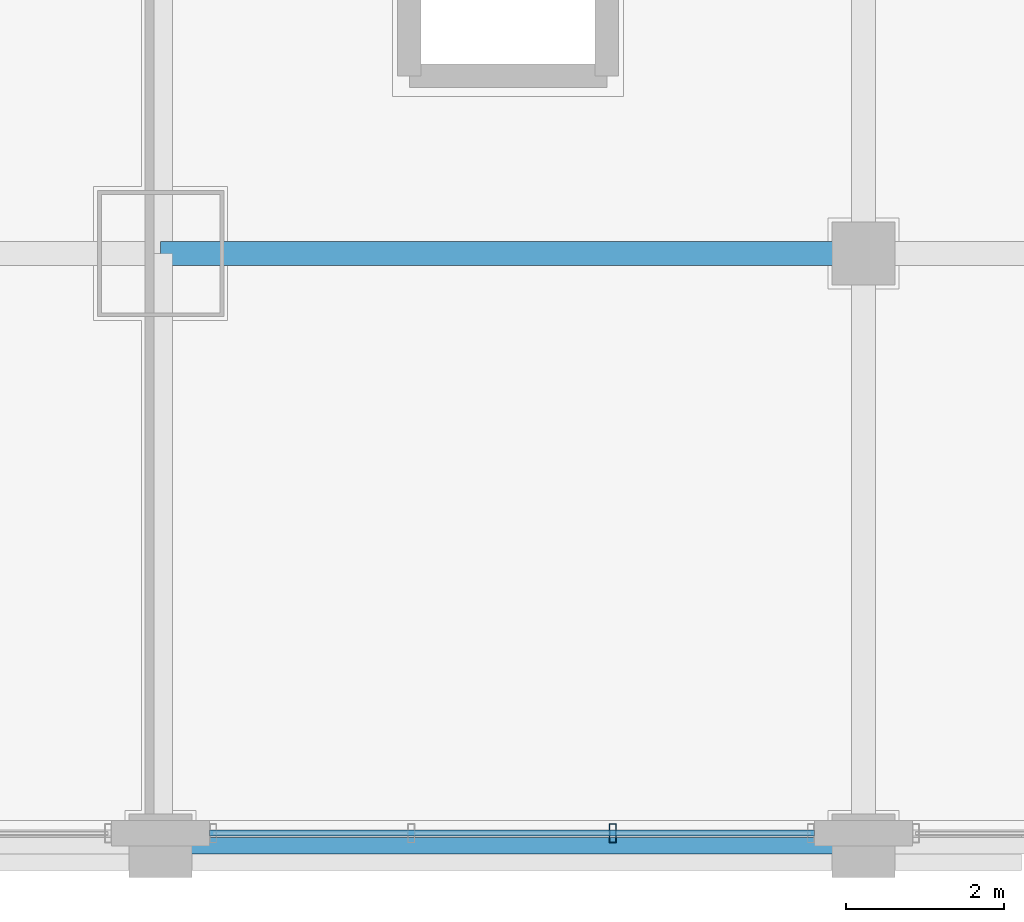
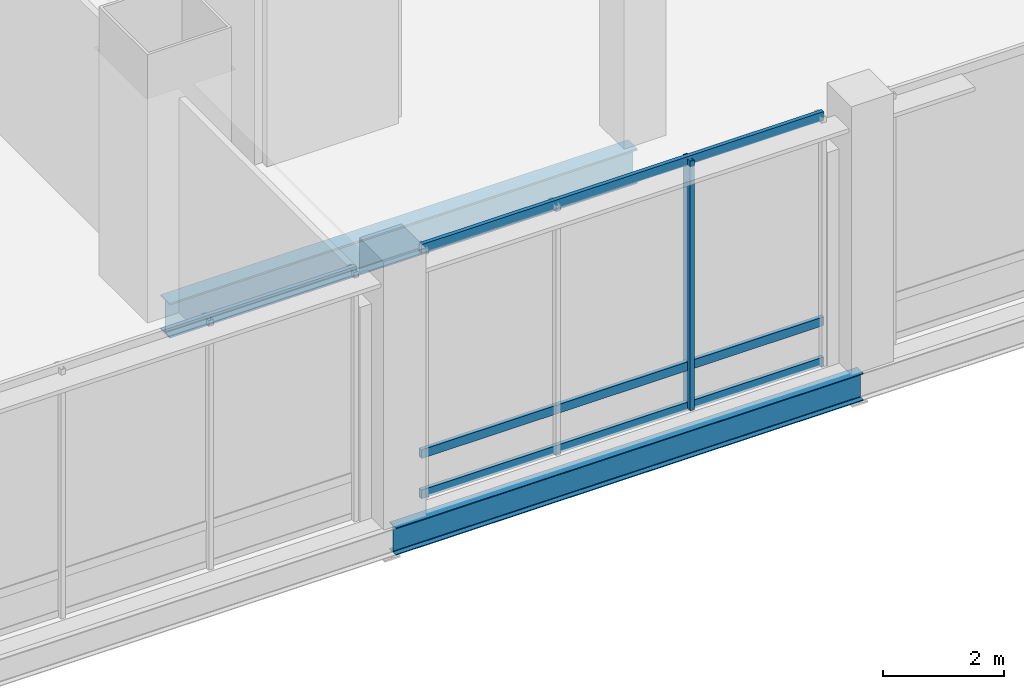
# One storey, part 8 of 35: 4 members, 2 beams, 1 element without a shape of its own.
"""IFC4 building model written with IfcOpenShell, lengths in metres."""

from ifc_helpers import new_model, si_unit, direction, frame, origin, origin_2d, place, context, subcontext, project, spatial, hollow_rectangle, i_section, extrude, material, material_profile, profile_set, type_object, element, aggregate, save


model = new_model("IFC4")

# Units and contexts
model_context = context("Model", 3, precision=1e-05, world=origin(), true_north=direction((0.0, 1.0)))
body_context = subcontext(model_context, "Body", "Model", "MODEL_VIEW")
ifc_project = project(units=[si_unit("LENGTHUNIT", "METRE"), si_unit("AREAUNIT", "SQUARE_METRE"), si_unit("VOLUMEUNIT", "CUBIC_METRE"), si_unit("PLANEANGLEUNIT", "RADIAN"), si_unit("MASSUNIT", "GRAM", prefix="KILO")], contexts=[model_context])

# Site, building, storey
site_placement = place(None, origin())
site = spatial("IfcSite", under=ifc_project, at=site_placement, CompositionType="ELEMENT")
building_placement = place(site_placement, origin())
building = spatial("IfcBuilding", under=site, at=building_placement, Name="Punatoya Terracotta Tower", CompositionType="ELEMENT")
storey_placement = place(building_placement, frame((0.0, 0.0, 16.800048828125)))
storey = spatial("IfcBuildingStorey", under=building, at=storey_placement, Name="L03", CompositionType="ELEMENT", Elevation=16.800048828125)

# Beams
ifc_material_1 = material(Name="Steel S355", Category="steel")
ifc_material_profile_1 = material_profile(ifc_material_1, i_section(OverallWidth=0.300048828125, OverallDepth=0.699951171875, WebThickness=0.01708984375, FlangeThickness=0.031982421875, FilletRadius=0.01806640625, at=origin_2d()))
ifc_profile_set_1 = profile_set([ifc_material_profile_1], Name="Steel S355")
beam_type_1 = type_object("IfcBeamType", Name="BM-PRI-700", PredefinedType="BEAM", material=ifc_profile_set_1)
beam_1_placement = place(storey_placement, frame((19.10009765625, -17.5, -0.630126953125), z_axis=(1.0, 0.0, 0.0), x_axis=(0.0, 1.0, 0.0)))
element("IfcBeam", 1, at=beam_1_placement, inside=storey, type_object=beam_type_1, Name="BM-L03-BE1", PredefinedType="BEAM", context=body_context, shape_type="SweptSolid", body=[
    extrude(i_section(OverallWidth=0.300048828125, OverallDepth=0.699951171875, WebThickness=0.01708984375, FlangeThickness=0.031982421875, FilletRadius=0.01806640625, at=origin_2d()), origin(), (0.0, 0.0, 1.0), 8.89990234375),
])
ifc_material_profile_2 = material_profile(ifc_material_1, i_section(OverallWidth=0.2099609375, OverallDepth=0.550048828125, WebThickness=0.010986328125, FlangeThickness=0.01708984375, FilletRadius=0.01806640625, at=origin_2d()))
ifc_profile_set_2 = profile_set([ifc_material_profile_2], Name="Steel S355")
beam_type_2 = type_object("IfcBeamType", Name="BM-SPN-550", PredefinedType="SPANDREL", material=ifc_profile_set_2)
beam_2_placement = place(storey_placement, frame((19.10009765625, -25.0, -0.554931640625), z_axis=(1.0, 0.0, 0.0), x_axis=(0.0, 1.0, 0.0)))
element("IfcBeam", 2, at=beam_2_placement, inside=storey, type_object=beam_type_2, Name="BM-L03-AE1", PredefinedType="SPANDREL", context=body_context, shape_type="SweptSolid", body=[
    extrude(i_section(OverallWidth=0.2099609375, OverallDepth=0.550048828125, WebThickness=0.010986328125, FlangeThickness=0.01708984375, FilletRadius=0.01806640625, at=origin_2d()), origin(), (0.0, 0.0, 1.0), 8.89990234375),
])

# Curtain wall, members
ifc_material_2 = material(Name="Aluminium 6063-T6 + Double Low-E Glass", Category="aluminium")
curtain_wall_type = type_object("IfcCurtainWallType", Name="CW-POD", PredefinedType="NOTDEFINED", material=ifc_material_2)
curtain_wall_placement = place(storey_placement, origin())
curtain_wall = element("IfcCurtainWall", 3, at=curtain_wall_placement, inside=storey, type_object=curtain_wall_type, Name="L03 Curtain Wall CWP-L03-S6", PredefinedType="NOTDEFINED")
ifc_material_3 = material(Name="Aluminium 6063-T6", Category="aluminium")
ifc_material_profile_3 = material_profile(ifc_material_3, hollow_rectangle(XDim=0.0849609375, YDim=0.239990234375, WallThickness=0.0048828125, at=origin_2d()))
ifc_profile_set_3 = profile_set([ifc_material_profile_3], Name="Aluminium 6063-T6")
member_type_1 = type_object("IfcMemberType", Name="CW-MUL-POD", PredefinedType="MULLION", material=ifc_profile_set_3)
member_1_placement = place(storey_placement, frame((24.82666015625, -24.840087890625, 0.0), z_axis=(0.0, 0.0, 1.0), x_axis=(1.0, 0.0, 0.0)))
member_1 = element("IfcMember", 4, at=member_1_placement, type_object=member_type_1, Name="CWP-L03-S6 Mullion 02", PredefinedType="MULLION", context=body_context, shape_type="SweptSolid", body=[
    extrude(hollow_rectangle(XDim=0.0849609375, YDim=0.239990234375, WallThickness=0.0048828125, at=origin_2d()), origin(), (0.0, 0.0, 1.0), 5.02001953125),
])
ifc_material_profile_4 = material_profile(ifc_material_3, hollow_rectangle(XDim=0.074951171875, YDim=0.175048828125, WallThickness=0.00439453125, at=origin_2d()))
ifc_profile_set_4 = profile_set([ifc_material_profile_4], Name="Aluminium 6063-T6")
member_type_2 = type_object("IfcMemberType", Name="CW-TRN-POD", PredefinedType="USERDEFINED", material=ifc_profile_set_4)
member_2_placement = place(storey_placement, frame((19.719970703125, -24.840087890625, 0.0400390625), z_axis=(1.0, 0.0, 0.0), x_axis=(0.0, 1.0, 0.0)))
member_2 = element("IfcMember", 5, at=member_2_placement, type_object=member_type_2, Name="CWP-L03-S6 Transom 1", ObjectType="TRANSOM", PredefinedType="USERDEFINED", context=body_context, shape_type="SweptSolid", body=[
    extrude(hollow_rectangle(XDim=0.074951171875, YDim=0.175048828125, WallThickness=0.00439453125, at=origin_2d()), origin(), (0.0, 0.0, 1.0), 7.659912109375),
])
member_3_placement = place(storey_placement, frame((19.719970703125, -24.840087890625, 0.849853515625), z_axis=(1.0, 0.0, 0.0), x_axis=(0.0, 1.0, 0.0)))
member_3 = element("IfcMember", 6, at=member_3_placement, type_object=member_type_2, Name="CWP-L03-S6 Transom 2", ObjectType="TRANSOM", PredefinedType="USERDEFINED", context=body_context, shape_type="SweptSolid", body=[
    extrude(hollow_rectangle(XDim=0.074951171875, YDim=0.175048828125, WallThickness=0.00439453125, at=origin_2d()), origin(), (0.0, 0.0, 1.0), 7.659912109375),
])
member_4_placement = place(storey_placement, frame((19.719970703125, -24.840087890625, 4.97998046875), z_axis=(1.0, 0.0, 0.0), x_axis=(0.0, 1.0, 0.0)))
member_4 = element("IfcMember", 7, at=member_4_placement, type_object=member_type_2, Name="CWP-L03-S6 Transom 3", ObjectType="TRANSOM", PredefinedType="USERDEFINED", context=body_context, shape_type="SweptSolid", body=[
    extrude(hollow_rectangle(XDim=0.074951171875, YDim=0.175048828125, WallThickness=0.00439453125, at=origin_2d()), origin(), (0.0, 0.0, 1.0), 7.659912109375),
])
aggregate(curtain_wall, [member_1, member_2, member_3, member_4])

save(model, "model.ifc")
